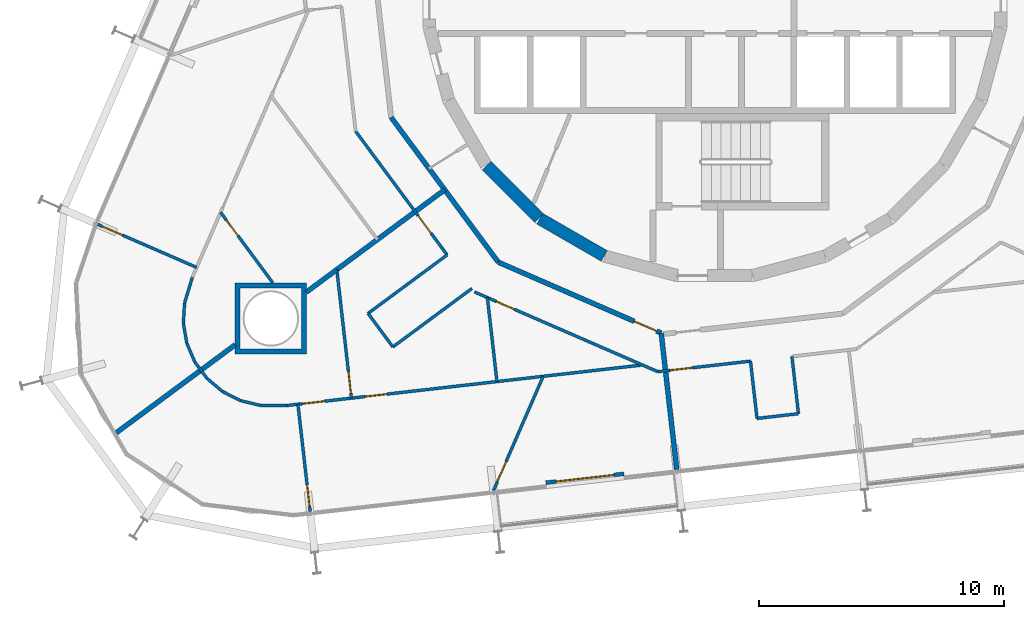
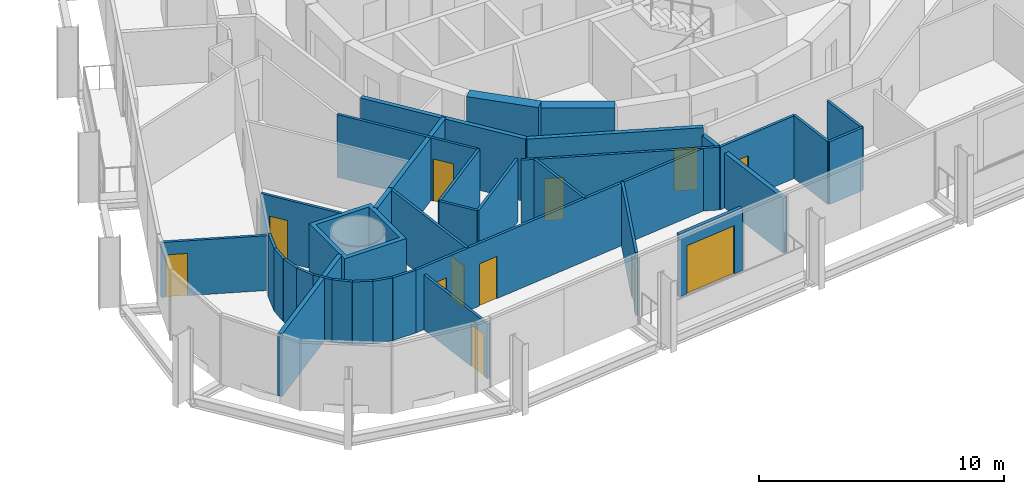
# One storey, part 16 of 23: 35 walls, 12 doors, 12 openings.
"""IFC4 building model written with IfcOpenShell, lengths in metres."""

from ifc_helpers import new_model, si_unit, direction, frame, frame_2d, origin, place, context, subcontext, project, spatial, polyline, rectangle, outline, extrude, material, layer, layer_set, type_object, element, fill, save


model = new_model("IFC4")

# Units and contexts
model_context = context("Model", 3, precision=1e-05, world=origin(), true_north=direction((0.0, 1.0)))
body_context = subcontext(model_context, "Body", "Model", "MODEL_VIEW")
ifc_project = project(units=[si_unit("LENGTHUNIT", "METRE"), si_unit("AREAUNIT", "SQUARE_METRE"), si_unit("VOLUMEUNIT", "CUBIC_METRE"), si_unit("PLANEANGLEUNIT", "RADIAN"), si_unit("MASSUNIT", "GRAM", prefix="KILO")], contexts=[model_context])

# Site, building, storey
site_placement = place(None, origin())
site = spatial("IfcSite", under=ifc_project, at=site_placement, CompositionType="ELEMENT")
building_placement = place(site_placement, origin())
building = spatial("IfcBuilding", under=site, at=building_placement, Name="Spindle Arch Residences", CompositionType="ELEMENT")
storey_placement = place(building_placement, frame((0.0, 0.0, 83.699951171875)))
storey = spatial("IfcBuildingStorey", under=building, at=storey_placement, Name="L19", CompositionType="ELEMENT", Elevation=83.699951171875)

# Walls
ifc_material_1 = material(Name="Concrete C50/60", Category="concrete")
ifc_layer_1 = layer(ifc_material_1, 0.5)
ifc_layer_set_1 = layer_set([ifc_layer_1], Name="Core outline wall 500")
wall_type_1 = type_object("IfcWallType", Name="Core outline wall 500", PredefinedType="SHEAR", material=ifc_layer_set_1)
wall_1_placement = place(storey_placement, frame((-9.30810546875, -7.163818359375, 0.0), z_axis=(0.0, 0.0, 1.0), x_axis=(0.707106781187, -0.707106781187, 0.0)))
element("IfcWall", 1, at=wall_1_placement, inside=storey, type_object=wall_type_1, Name="Core outline wall 21", PredefinedType="SHEAR", context=body_context, shape_type="SweptSolid", body=[
    extrude(rectangle(XDim=3.032470703125, YDim=0.5, at=frame_2d((1.51611328125, 0.0))), origin(), (0.0, 0.0, 1.0), 3.1201171875),
])
wall_2_placement = place(storey_placement, frame((-7.13671875, -9.32861328125, 0.0), z_axis=(0.0, 0.0, 1.0), x_axis=(0.865975092491, -0.500087131594, 0.0)))
element("IfcWall", 2, at=wall_2_placement, inside=storey, type_object=wall_type_1, Name="Core outline wall 22", PredefinedType="SHEAR", context=body_context, shape_type="SweptSolid", body=[
    extrude(rectangle(XDim=3.03271484375, YDim=0.5, at=frame_2d((1.516357421875, 0.0))), origin(), (0.0, 0.0, 1.0), 3.1201171875),
])
ifc_material_2 = material(Name="Calcium silicate block, plastered")
ifc_layer_2 = layer(ifc_material_2, 0.199951171875)
ifc_layer_set_2 = layer_set([ifc_layer_2], Name="Corridor wall 200")
wall_type_2 = type_object("IfcWallType", Name="Corridor wall 200", PredefinedType="STANDARD", material=ifc_layer_set_2)
wall_3_placement = place(storey_placement, frame((-13.1962890625, -5.1982421875, 0.0), z_axis=(0.0, 0.0, 1.0), x_axis=(0.594805187394, -0.803869883159, 0.0)))
element("IfcWall", 3, at=wall_3_placement, inside=storey, type_object=wall_type_2, Name="Corridor wall R2A0-W012", PredefinedType="STANDARD", context=body_context, shape_type="SweptSolid", body=[
    extrude(rectangle(XDim=7.341796875, YDim=0.199951171875, at=frame_2d((3.6708984375, 0.0))), origin(), (0.0, 0.0, 1.0), 3.1201171875),
])

# Wall, opening, door
wall_4_placement = place(storey_placement, frame((-8.829345703125, -11.10009765625, 0.0), z_axis=(0.0, 0.0, 1.0), x_axis=(0.917063622491, -0.398740908742, 0.0)))
wall_4 = element("IfcWall", 4, at=wall_4_placement, inside=storey, type_object=wall_type_2, Name="Corridor wall R2A0-W013", PredefinedType="STANDARD", context=body_context, shape_type="SweptSolid", body=[
    extrude(rectangle(XDim=7.239501953125, YDim=0.199951171875, at=frame_2d((3.61962890625, 0.0))), origin(), (0.0, 0.0, 1.0), 3.1201171875),
])
opening_1_placement = place(wall_4_placement, frame((6.03955078125, 0.0, 0.0)))
opening_1 = element("IfcOpeningElement", 5, at=opening_1_placement, cuts=wall_4, Name="Opening R2A0-FD05", PredefinedType="OPENING", context=body_context, shape_type="SweptSolid", body=[
    extrude(rectangle(XDim=1.0, YDim=2.10009765625, at=frame_2d((0.5, 1.050048828125))), frame((0.0, 0.10986328125, 0.0), z_axis=(0.0, -1.0, 0.0), x_axis=(1.0, 0.0, 0.0)), (0.0, 0.0, 1.0), 0.219970703125),
])
ifc_material_3 = material(Name="Timber, fire-resisting door set", Category="wood")
door_type_1 = type_object("IfcDoorType", Name="Flat entrance door 1000x2100", OperationType="NOTDEFINED", PredefinedType="DOOR", material=ifc_material_3)
door_1_placement = place(opening_1_placement, origin())
door_1 = element("IfcDoor", 6, at=door_1_placement, inside=storey, type_object=door_type_1, Name="Flat entrance door R2A0-FD05", OperationType="SINGLE_SWING_LEFT", OverallHeight=2.10009765625, OverallWidth=1.0, PredefinedType="DOOR", context=body_context, shape_type="SweptSolid", body=[
    extrude(rectangle(XDim=1.0, YDim=2.10009765625, at=frame_2d((0.5, 1.050048828125))), frame((0.0, 0.02490234375, 0.0), z_axis=(0.0, -1.0, 0.0), x_axis=(1.0, 0.0, 0.0)), (0.0, 0.0, 1.0), 0.050048828125),
])
fill(opening_1, door_1)

ifc_material_4 = material(Name="Plasterboard on steel studs", Category="steel")
ifc_layer_3 = layer(ifc_material_4, 0.1201171875)
ifc_layer_set_3 = layer_set([ifc_layer_3], Name="Flat partition 120")
wall_type_3 = type_object("IfcWallType", Name="Flat partition 120", PredefinedType="PARTITIONING", material=ifc_layer_set_3)
wall_5_placement = place(storey_placement, frame((-14.64111328125, -5.767333984375, 0.0), z_axis=(0.0, 0.0, 1.0), x_axis=(0.594825885962, -0.803854567313, 0.0)))
wall_5 = element("IfcWall", 7, at=wall_5_placement, inside=storey, type_object=wall_type_3, Name="Flat partition R2A0-W089", PredefinedType="PARTITIONING", context=body_context, shape_type="SweptSolid", body=[
    extrude(rectangle(XDim=6.26611328125, YDim=0.1201171875, at=frame_2d((3.133056640625, 0.0))), origin(), (0.0, 0.0, 1.0), 3.1201171875),
])
opening_2_placement = place(wall_5_placement, frame((4.272705078125, 0.0, 0.0)))
opening_2 = element("IfcOpeningElement", 8, at=opening_2_placement, cuts=wall_5, Name="Opening R2A0-ID23", PredefinedType="OPENING", context=body_context, shape_type="SweptSolid", body=[
    extrude(rectangle(XDim=0.89990234375, YDim=2.10009765625, at=frame_2d((0.449951171875, 1.050048828125))), frame((0.0, 0.070068359375, 0.0), z_axis=(0.0, -1.0, 0.0), x_axis=(1.0, 0.0, 0.0)), (0.0, 0.0, 1.0), 0.14013671875),
])
ifc_material_5 = material(Name="Timber door set", Category="wood")
door_type_2 = type_object("IfcDoorType", Name="Room door 900x2100", OperationType="NOTDEFINED", PredefinedType="DOOR", material=ifc_material_5)
door_2_placement = place(opening_2_placement, origin())
door_2 = element("IfcDoor", 9, at=door_2_placement, inside=storey, type_object=door_type_2, Name="Room door R2A0-ID23", OperationType="SINGLE_SWING_LEFT", OverallHeight=2.10009765625, OverallWidth=0.89990234375, PredefinedType="DOOR", context=body_context, shape_type="SweptSolid", body=[
    extrude(rectangle(XDim=0.89990234375, YDim=2.10009765625, at=frame_2d((0.449951171875, 1.050048828125))), frame((0.0, 0.02490234375, 0.0), z_axis=(0.0, -1.0, 0.0), x_axis=(1.0, 0.0, 0.0)), (0.0, 0.0, 1.0), 0.050048828125),
])
fill(opening_2, door_2)

wall_6_placement = place(storey_placement, frame((-20.144287109375, -9.068359375, 0.0), z_axis=(0.0, 0.0, 1.0), x_axis=(0.59487477233, -0.803818390711, 0.0)))
wall_6 = element("IfcWall", 10, at=wall_6_placement, inside=storey, type_object=wall_type_3, Name="Flat partition R2A0-W094", PredefinedType="PARTITIONING", context=body_context, shape_type="SweptSolid", body=[
    extrude(rectangle(XDim=3.575439453125, YDim=0.1201171875, at=frame_2d((1.78759765625, 0.0))), origin(), (0.0, 0.0, 1.0), 3.1201171875),
])
opening_3_placement = place(wall_6_placement, frame((0.39990234375, 0.0, 0.0)))
opening_3 = element("IfcOpeningElement", 11, at=opening_3_placement, cuts=wall_6, Name="Opening R2A0-BD05", PredefinedType="OPENING", context=body_context, shape_type="SweptSolid", body=[
    extrude(rectangle(XDim=0.800048828125, YDim=2.10009765625, at=frame_2d((0.39990234375, 1.050048828125))), frame((0.0, 0.070068359375, 0.0), z_axis=(0.0, -1.0, 0.0), x_axis=(1.0, 0.0, 0.0)), (0.0, 0.0, 1.0), 0.14013671875),
])
ifc_material_6 = material(Name="Timber door set", Category="wood")
door_type_3 = type_object("IfcDoorType", Name="Bathroom door 800x2100", OperationType="NOTDEFINED", PredefinedType="DOOR", material=ifc_material_6)
door_3_placement = place(opening_3_placement, origin())
door_3 = element("IfcDoor", 12, at=door_3_placement, inside=storey, type_object=door_type_3, Name="Bathroom door R2A0-BD05", OperationType="SINGLE_SWING_RIGHT", OverallHeight=2.10009765625, OverallWidth=0.800048828125, PredefinedType="DOOR", context=body_context, shape_type="SweptSolid", body=[
    extrude(rectangle(XDim=0.800048828125, YDim=2.10009765625, at=frame_2d((0.39990234375, 1.050048828125))), frame((0.0, 0.02490234375, 0.0), z_axis=(0.0, -1.0, 0.0), x_axis=(1.0, 0.0, 0.0)), (0.0, 0.0, 1.0), 0.050048828125),
])
fill(opening_3, door_3)

# Walls
for number, where, z_axis, x_axis, name in (
    (13, (-20.702880859375, -15.834716796875, 0.0), (0.0, 0.0, 1.0), (-0.594755442796, 0.803906688158, 0.0), "Flat partition R2A0-W095"),
    (14, (-21.19580078125, -15.16845703125, 0.0), (0.0, 0.0, 1.0), (-0.393528213057, 0.919312539634, 0.0), "Flat partition R2A0-W096"),
):
    element("IfcWall", number, at=place(storey_placement, frame(where, z_axis=z_axis, x_axis=x_axis)), inside=storey, type_object=wall_type_3, Name=name, PredefinedType="PARTITIONING", context=body_context, shape_type="SweptSolid", body=[
        extrude(rectangle(XDim=0.828857421875, YDim=0.1201171875, at=frame_2d((0.41455078125, 0.0))), origin(), (0.0, 0.0, 1.0), 3.1201171875),
    ])
wall_7_placement = place(storey_placement, frame((-21.52197265625, -14.406494140625, 0.0), z_axis=(0.0, 0.0, 1.0), x_axis=(-0.170794347099, 0.985306698952, 0.0)))
element("IfcWall", 15, at=wall_7_placement, inside=storey, type_object=wall_type_3, Name="Flat partition R2A0-W097", PredefinedType="PARTITIONING", context=body_context, shape_type="SweptSolid", body=[
    extrude(rectangle(XDim=0.8291015625, YDim=0.1201171875, at=frame_2d((0.41455078125, 0.0))), origin(), (0.0, 0.0, 1.0), 3.1201171875),
])
wall_8_placement = place(storey_placement, frame((-21.66357421875, -13.589599609375, 0.0), z_axis=(0.0, 0.0, 1.0), x_axis=(0.061277779288, 0.998120751095, 0.0)))
element("IfcWall", 16, at=wall_8_placement, inside=storey, type_object=wall_type_3, Name="Flat partition R2A0-W098", PredefinedType="PARTITIONING", context=body_context, shape_type="SweptSolid", body=[
    extrude(rectangle(XDim=0.82861328125, YDim=0.1201171875, at=frame_2d((0.414306640625, 0.0))), origin(), (0.0, 0.0, 1.0), 3.1201171875),
])
wall_9_placement = place(storey_placement, frame((-21.61279296875, -12.762451171875, 0.0), z_axis=(0.0, 0.0, 1.0), x_axis=(0.289552239308, 0.95716221233, 0.0)))
element("IfcWall", 17, at=wall_9_placement, inside=storey, type_object=wall_type_3, Name="Flat partition R2A0-W099", PredefinedType="PARTITIONING", context=body_context, shape_type="SweptSolid", body=[
    extrude(rectangle(XDim=1.0869140625, YDim=0.1201171875, at=frame_2d((0.54345703125, 0.0))), origin(), (0.0, 0.0, 1.0), 3.1201171875),
])
wall_10_placement = place(storey_placement, frame((-10.913818359375, -10.804443359375, 0.0), z_axis=(0.0, 0.0, 1.0), x_axis=(-0.803864616889, -0.594812304609, 0.0)))
element("IfcWall", 18, at=wall_10_placement, inside=storey, type_object=wall_type_3, Name="Flat partition R2A0-W100", PredefinedType="PARTITIONING", context=body_context, shape_type="SweptSolid", body=[
    extrude(rectangle(XDim=4.008056640625, YDim=0.1201171875, at=frame_2d((2.00390625, 0.0))), origin(), (0.0, 0.0, 1.0), 3.1201171875),
])
wall_11_placement = place(storey_placement, frame((-14.1357421875, -13.1884765625, 0.0), z_axis=(0.0, 0.0, 1.0), x_axis=(0.594863421241, -0.803826791087, 0.0)))
element("IfcWall", 19, at=wall_11_placement, inside=storey, type_object=wall_type_3, Name="Flat partition R2A0-W101", PredefinedType="PARTITIONING", context=body_context, shape_type="SweptSolid", body=[
    extrude(rectangle(XDim=1.699951171875, YDim=0.1201171875, at=frame_2d((0.85009765625, 0.0))), origin(), (0.0, 0.0, 1.0), 3.1201171875),
])
wall_12_placement = place(storey_placement, frame((-13.12451171875, -14.554931640625, 0.0), z_axis=(0.0, 0.0, 1.0), x_axis=(0.80389374229, 0.594772940799, 0.0)))
element("IfcWall", 20, at=wall_12_placement, inside=storey, type_object=wall_type_3, Name="Flat partition R2A0-W102", PredefinedType="PARTITIONING", context=body_context, shape_type="SweptSolid", body=[
    extrude(rectangle(XDim=4.0078125, YDim=0.1201171875, at=frame_2d((2.00390625, 0.0))), origin(), (0.0, 0.0, 1.0), 3.1201171875),
])

# Wall, opening, door
wall_13_placement = place(storey_placement, frame((-9.7958984375, -12.315185546875, 0.0), z_axis=(0.0, 0.0, 1.0), x_axis=(0.917059572812, -0.398750222463, 0.0)))
wall_13 = element("IfcWall", 21, at=wall_13_placement, inside=storey, type_object=wall_type_3, Name="Flat partition R2A0-W103", PredefinedType="PARTITIONING", context=body_context, shape_type="SweptSolid", body=[
    extrude(rectangle(XDim=8.1455078125, YDim=0.1201171875, at=frame_2d((4.07275390625, 0.0))), origin(), (0.0, 0.0, 1.0), 3.1201171875),
])
opening_4_placement = place(wall_13_placement, frame((0.969482421875, 0.0, 0.0)))
opening_4 = element("IfcOpeningElement", 22, at=opening_4_placement, cuts=wall_13, Name="Opening R2A0-BD06", PredefinedType="OPENING", context=body_context, shape_type="SweptSolid", body=[
    extrude(rectangle(XDim=0.800048828125, YDim=2.10009765625, at=frame_2d((0.39990234375, 1.050048828125))), frame((0.0, 0.070068359375, 0.0), z_axis=(0.0, -1.0, 0.0), x_axis=(1.0, 0.0, 0.0)), (0.0, 0.0, 1.0), 0.14013671875),
])
door_4_placement = place(opening_4_placement, origin())
door_4 = element("IfcDoor", 23, at=door_4_placement, inside=storey, type_object=door_type_3, Name="Bathroom door R2A0-BD06", OperationType="SINGLE_SWING_LEFT", OverallHeight=2.10009765625, OverallWidth=0.800048828125, PredefinedType="DOOR", context=body_context, shape_type="SweptSolid", body=[
    extrude(rectangle(XDim=0.800048828125, YDim=2.10009765625, at=frame_2d((0.39990234375, 1.050048828125))), frame((0.0, 0.02490234375, 0.0), z_axis=(0.0, -1.0, 0.0), x_axis=(1.0, 0.0, 0.0)), (0.0, 0.0, 1.0), 0.050048828125),
])
fill(opening_4, door_4)

wall_14_placement = place(storey_placement, frame((-2.325927734375, -15.563232421875, 0.0), z_axis=(0.0, 0.0, 1.0), x_axis=(0.993575068384, 0.113175012641, 0.0)))
wall_14 = element("IfcWall", 24, at=wall_14_placement, inside=storey, type_object=wall_type_3, Name="Flat partition R2A0-W104", PredefinedType="PARTITIONING", context=body_context, shape_type="SweptSolid", body=[
    extrude(rectangle(XDim=3.798828125, YDim=0.1201171875, at=frame_2d((1.8994140625, 0.0))), origin(), (0.0, 0.0, 1.0), 3.1201171875),
])
opening_5_placement = place(wall_14_placement, frame((0.513427734375, 0.0, 0.0)))
opening_5 = element("IfcOpeningElement", 25, at=opening_5_placement, cuts=wall_14, Name="Opening R2A0-ID29", PredefinedType="OPENING", context=body_context, shape_type="SweptSolid", body=[
    extrude(rectangle(XDim=0.89990234375, YDim=2.10009765625, at=frame_2d((0.449951171875, 1.050048828125))), frame((0.0, 0.070068359375, 0.0), z_axis=(0.0, -1.0, 0.0), x_axis=(1.0, 0.0, 0.0)), (0.0, 0.0, 1.0), 0.14013671875),
])
door_5_placement = place(opening_5_placement, origin())
door_5 = element("IfcDoor", 26, at=door_5_placement, inside=storey, type_object=door_type_2, Name="Room door R2A0-ID29", OperationType="SINGLE_SWING_LEFT", OverallHeight=2.10009765625, OverallWidth=0.89990234375, PredefinedType="DOOR", context=body_context, shape_type="SweptSolid", body=[
    extrude(rectangle(XDim=0.89990234375, YDim=2.10009765625, at=frame_2d((0.449951171875, 1.050048828125))), frame((0.0, 0.02490234375, 0.0), z_axis=(0.0, -1.0, 0.0), x_axis=(1.0, 0.0, 0.0)), (0.0, 0.0, 1.0), 0.050048828125),
])
fill(opening_5, door_5)

# Walls
for number, where, z_axis, x_axis, name in (
    (27, (-20.702880859375, -15.834716796875, 0.0), (0.0, 0.0, 1.0), (0.764223440539, -0.644951574097, 0.0), "Flat partition R2A0-W105"),
    (28, (-20.0693359375, -16.369384765625, 0.0), (0.0, 0.0, 1.0), (0.89229682893, -0.451449187706, 0.0), "Flat partition R2A0-W106"),
):
    element("IfcWall", number, at=place(storey_placement, frame(where, z_axis=z_axis, x_axis=x_axis)), inside=storey, type_object=wall_type_3, Name=name, PredefinedType="PARTITIONING", context=body_context, shape_type="SweptSolid", body=[
        extrude(rectangle(XDim=0.8291015625, YDim=0.1201171875, at=frame_2d((0.41455078125, 0.0))), origin(), (0.0, 0.0, 1.0), 3.1201171875),
    ])
wall_15_placement = place(storey_placement, frame((-19.32958984375, -16.74365234375, 0.0), z_axis=(0.0, 0.0, 1.0), x_axis=(0.972403343288, -0.23330610357, 0.0)))
element("IfcWall", 29, at=wall_15_placement, inside=storey, type_object=wall_type_3, Name="Flat partition R2A0-W107", PredefinedType="PARTITIONING", context=body_context, shape_type="SweptSolid", body=[
    extrude(rectangle(XDim=0.828857421875, YDim=0.1201171875, at=frame_2d((0.41455078125, 0.0))), origin(), (0.0, 0.0, 1.0), 3.1201171875),
])
wall_16_placement = place(storey_placement, frame((-18.523681640625, -16.93701171875, 0.0), z_axis=(0.0, 0.0, 1.0), x_axis=(0.999995736722, -0.00292002349, 0.0)))
element("IfcWall", 30, at=wall_16_placement, inside=storey, type_object=wall_type_3, Name="Flat partition R2A0-W108", PredefinedType="PARTITIONING", context=body_context, shape_type="SweptSolid", body=[
    extrude(rectangle(XDim=1.0869140625, YDim=0.1201171875, at=frame_2d((0.54345703125, 0.0))), origin(), (0.0, 0.0, 1.0), 3.1201171875),
])

# Wall, openings, doors
wall_17_placement = place(storey_placement, frame((-17.436767578125, -16.940185546875, 0.0), z_axis=(0.0, 0.0, 1.0), x_axis=(0.993573314119, 0.113190412448, 0.0)))
wall_17 = element("IfcWall", 31, at=wall_17_placement, inside=storey, type_object=wall_type_3, Name="Flat partition R2A0-W109", PredefinedType="PARTITIONING", context=body_context, shape_type="SweptSolid", body=[
    extrude(rectangle(XDim=14.576416015625, YDim=0.1201171875, at=frame_2d((7.2880859375, 0.0))), origin(), (0.0, 0.0, 1.0), 3.1201171875),
])
opening_6_placement = place(wall_17_placement, frame((3.20068359375, 0.0, 0.0)))
opening_6 = element("IfcOpeningElement", 32, at=opening_6_placement, cuts=wall_17, Name="Opening R2A0-ID25", PredefinedType="OPENING", context=body_context, shape_type="SweptSolid", body=[
    extrude(rectangle(XDim=0.89990234375, YDim=2.10009765625, at=frame_2d((0.449951171875, 1.050048828125))), frame((0.0, 0.070068359375, 0.0), z_axis=(0.0, -1.0, 0.0), x_axis=(1.0, 0.0, 0.0)), (0.0, 0.0, 1.0), 0.14013671875),
])
opening_7_placement = place(wall_17_placement, frame((0.645263671875, 0.0, 0.0)))
opening_7 = element("IfcOpeningElement", 33, at=opening_7_placement, cuts=wall_17, Name="Opening R2A0-ID28", PredefinedType="OPENING", context=body_context, shape_type="SweptSolid", body=[
    extrude(rectangle(XDim=0.89990234375, YDim=2.10009765625, at=frame_2d((0.449951171875, 1.050048828125))), frame((0.0, 0.070068359375, 0.0), z_axis=(0.0, -1.0, 0.0), x_axis=(1.0, 0.0, 0.0)), (0.0, 0.0, 1.0), 0.14013671875),
])
door_6_placement = place(opening_6_placement, origin())
door_6 = element("IfcDoor", 34, at=door_6_placement, inside=storey, type_object=door_type_2, Name="Room door R2A0-ID25", OperationType="SINGLE_SWING_LEFT", OverallHeight=2.10009765625, OverallWidth=0.89990234375, PredefinedType="DOOR", context=body_context, shape_type="SweptSolid", body=[
    extrude(rectangle(XDim=0.89990234375, YDim=2.10009765625, at=frame_2d((0.449951171875, 1.050048828125))), frame((0.0, 0.02490234375, 0.0), z_axis=(0.0, -1.0, 0.0), x_axis=(1.0, 0.0, 0.0)), (0.0, 0.0, 1.0), 0.050048828125),
])
fill(opening_6, door_6)
door_7_placement = place(opening_7_placement, origin())
door_7 = element("IfcDoor", 35, at=door_7_placement, inside=storey, type_object=door_type_2, Name="Room door R2A0-ID28", OperationType="SINGLE_SWING_RIGHT", OverallHeight=2.10009765625, OverallWidth=0.89990234375, PredefinedType="DOOR", context=body_context, shape_type="SweptSolid", body=[
    extrude(rectangle(XDim=0.89990234375, YDim=2.10009765625, at=frame_2d((0.449951171875, 1.050048828125))), frame((0.0, 0.02490234375, 0.0), z_axis=(0.0, -1.0, 0.0), x_axis=(1.0, 0.0, 0.0)), (0.0, 0.0, 1.0), 0.050048828125),
])
fill(opening_7, door_7)

# Wall, opening, door
wall_18_placement = place(storey_placement, frame((-14.81298828125, -16.641357421875, 0.0), z_axis=(0.0, 0.0, 1.0), x_axis=(-0.113210971478, 0.993570971767, 0.0)))
wall_18 = element("IfcWall", 36, at=wall_18_placement, inside=storey, type_object=wall_type_3, Name="Flat partition R2A0-W110", PredefinedType="PARTITIONING", context=body_context, shape_type="SweptSolid", body=[
    extrude(rectangle(XDim=5.272705078125, YDim=0.1201171875, at=frame_2d((2.63623046875, 0.0))), origin(), (0.0, 0.0, 1.0), 3.1201171875),
])
opening_8_placement = place(wall_18_placement, frame((0.199951171875, 0.0, 0.0)))
opening_8 = element("IfcOpeningElement", 37, at=opening_8_placement, cuts=wall_18, Name="Opening R2A0-ID24", PredefinedType="OPENING", context=body_context, shape_type="SweptSolid", body=[
    extrude(rectangle(XDim=0.89990234375, YDim=2.10009765625, at=frame_2d((0.449951171875, 1.050048828125))), frame((0.0, 0.070068359375, 0.0), z_axis=(0.0, -1.0, 0.0), x_axis=(1.0, 0.0, 0.0)), (0.0, 0.0, 1.0), 0.14013671875),
])
door_8_placement = place(opening_8_placement, origin())
door_8 = element("IfcDoor", 38, at=door_8_placement, inside=storey, type_object=door_type_2, Name="Room door R2A0-ID24", OperationType="SINGLE_SWING_LEFT", OverallHeight=2.10009765625, OverallWidth=0.89990234375, PredefinedType="DOOR", context=body_context, shape_type="SweptSolid", body=[
    extrude(rectangle(XDim=0.89990234375, YDim=2.10009765625, at=frame_2d((0.449951171875, 1.050048828125))), frame((0.0, 0.02490234375, 0.0), z_axis=(0.0, -1.0, 0.0), x_axis=(1.0, 0.0, 0.0)), (0.0, 0.0, 1.0), 0.050048828125),
])
fill(opening_8, door_8)

# Wall
wall_19_placement = place(storey_placement, frame((-8.883544921875, -15.9658203125, 0.0), z_axis=(0.0, 0.0, 1.0), x_axis=(-0.113230836929, 0.993568708026, 0.0)))
element("IfcWall", 39, at=wall_19_placement, inside=storey, type_object=wall_type_3, Name="Flat partition R2A0-W112", PredefinedType="PARTITIONING", context=body_context, shape_type="SweptSolid", body=[
    extrude(rectangle(XDim=3.445556640625, YDim=0.1201171875, at=frame_2d((1.72265625, 0.0))), origin(), (0.0, 0.0, 1.0), 3.1201171875),
])

# Wall, opening, door
wall_20_placement = place(storey_placement, frame((-9.025634765625, -20.410400390625, 0.0), z_axis=(0.0, 0.0, 1.0), x_axis=(0.398750711167, 0.917059360316, 0.0)))
wall_20 = element("IfcWall", 40, at=wall_20_placement, inside=storey, type_object=wall_type_3, Name="Flat partition R2A0-W113", PredefinedType="PARTITIONING", context=body_context, shape_type="SweptSolid", body=[
    extrude(rectangle(XDim=5.08056640625, YDim=0.1201171875, at=frame_2d((2.540283203125, 0.0))), origin(), (0.0, 0.0, 1.0), 3.1201171875),
])
opening_9_placement = place(wall_20_placement, frame((0.39990234375, 0.0, 0.0)))
opening_9 = element("IfcOpeningElement", 41, at=opening_9_placement, cuts=wall_20, Name="Opening R2A0-ID27", PredefinedType="OPENING", context=body_context, shape_type="SweptSolid", body=[
    extrude(rectangle(XDim=0.89990234375, YDim=2.10009765625, at=frame_2d((0.449951171875, 1.050048828125))), frame((0.0, 0.070068359375, 0.0), z_axis=(0.0, -1.0, 0.0), x_axis=(1.0, 0.0, 0.0)), (0.0, 0.0, 1.0), 0.14013671875),
])
door_9_placement = place(opening_9_placement, origin())
door_9 = element("IfcDoor", 42, at=door_9_placement, inside=storey, type_object=door_type_2, Name="Room door R2A0-ID27", OperationType="SINGLE_SWING_RIGHT", OverallHeight=2.10009765625, OverallWidth=0.89990234375, PredefinedType="DOOR", context=body_context, shape_type="SweptSolid", body=[
    extrude(rectangle(XDim=0.89990234375, YDim=2.10009765625, at=frame_2d((0.449951171875, 1.050048828125))), frame((0.0, 0.02490234375, 0.0), z_axis=(0.0, -1.0, 0.0), x_axis=(1.0, 0.0, 0.0)), (0.0, 0.0, 1.0), 0.050048828125),
])
fill(opening_9, door_9)

# Walls
wall_21_placement = place(storey_placement, frame((1.448486328125, -15.13330078125, 0.0), z_axis=(0.0, 0.0, 1.0), x_axis=(0.113180189053, -0.993574478741, 0.0)))
element("IfcWall", 43, at=wall_21_placement, inside=storey, type_object=wall_type_3, Name="Flat partition R2A0-W114", PredefinedType="PARTITIONING", context=body_context, shape_type="SweptSolid", body=[
    extrude(rectangle(XDim=2.34912109375, YDim=0.1201171875, at=frame_2d((1.174560546875, 0.0))), origin(), (0.0, 0.0, 1.0), 3.1201171875),
])
wall_22_placement = place(storey_placement, frame((1.71435546875, -17.46728515625, 0.0), z_axis=(0.0, 0.0, 1.0), x_axis=(0.993577030812, 0.113157782957, 0.0)))
element("IfcWall", 44, at=wall_22_placement, inside=storey, type_object=wall_type_3, Name="Flat partition R2A0-W115", PredefinedType="PARTITIONING", context=body_context, shape_type="SweptSolid", body=[
    extrude(rectangle(XDim=1.7001953125, YDim=0.1201171875, at=frame_2d((0.85009765625, 0.0))), origin(), (0.0, 0.0, 1.0), 3.1201171875),
])
wall_23_placement = place(storey_placement, frame((3.403564453125, -17.27490234375, 0.0), z_axis=(0.0, 0.0, 1.0), x_axis=(-0.113180189053, 0.993574478741, 0.0)))
element("IfcWall", 45, at=wall_23_placement, inside=storey, type_object=wall_type_3, Name="Flat partition R2A0-W116", PredefinedType="PARTITIONING", context=body_context, shape_type="SweptSolid", body=[
    extrude(rectangle(XDim=2.34912109375, YDim=0.1201171875, at=frame_2d((1.174560546875, 0.0))), origin(), (0.0, 0.0, 1.0), 3.1201171875),
])

# Wall, opening, door
ifc_material_7 = material(Name="Plasterboard on steel studs", Category="steel")
ifc_layer_4 = layer(ifc_material_7, 0.1201171875)
ifc_layer_set_4 = layer_set([ifc_layer_4], Name="Flat partition 120 under beam 2730")
wall_type_4 = type_object("IfcWallType", Name="Flat partition 120 under beam 2730", PredefinedType="PARTITIONING", material=ifc_layer_set_4)
wall_24_placement = place(storey_placement, frame((-25.155517578125, -9.55908203125, 0.0), z_axis=(0.0, 0.0, 1.0), x_axis=(0.917042707292, -0.398789008127, 0.0)))
wall_24 = element("IfcWall", 46, at=wall_24_placement, inside=storey, type_object=wall_type_4, Name="Flat partition R2A0-W092", PredefinedType="PARTITIONING", context=body_context, shape_type="SweptSolid", body=[
    extrude(rectangle(XDim=4.39990234375, YDim=0.1201171875, at=frame_2d((2.199951171875, 0.0))), origin(), (0.0, 0.0, 1.0), 2.72998046875),
])
opening_10_placement = place(wall_24_placement, frame((0.199951171875, 0.0, 0.0)))
opening_10 = element("IfcOpeningElement", 47, at=opening_10_placement, cuts=wall_24, Name="Opening R2A0-ID22", PredefinedType="OPENING", context=body_context, shape_type="SweptSolid", body=[
    extrude(rectangle(XDim=0.89990234375, YDim=2.10009765625, at=frame_2d((0.449951171875, 1.050048828125))), frame((0.0, 0.070068359375, 0.0), z_axis=(0.0, -1.0, 0.0), x_axis=(1.0, 0.0, 0.0)), (0.0, 0.0, 1.0), 0.14013671875),
])
door_10_placement = place(opening_10_placement, origin())
door_10 = element("IfcDoor", 48, at=door_10_placement, inside=storey, type_object=door_type_2, Name="Room door R2A0-ID22", OperationType="SINGLE_SWING_RIGHT", OverallHeight=2.10009765625, OverallWidth=0.89990234375, PredefinedType="DOOR", context=body_context, shape_type="SweptSolid", body=[
    extrude(rectangle(XDim=0.89990234375, YDim=2.10009765625, at=frame_2d((0.449951171875, 1.050048828125))), frame((0.0, 0.02490234375, 0.0), z_axis=(0.0, -1.0, 0.0), x_axis=(1.0, 0.0, 0.0)), (0.0, 0.0, 1.0), 0.050048828125),
])
fill(opening_10, door_10)

wall_25_placement = place(storey_placement, frame((-16.49609375, -21.26171875, 0.0), z_axis=(0.0, 0.0, 1.0), x_axis=(-0.1132445713, 0.993567142709, 0.0)))
wall_25 = element("IfcWall", 49, at=wall_25_placement, inside=storey, type_object=wall_type_4, Name="Flat partition R2A0-W111", PredefinedType="PARTITIONING", context=body_context, shape_type="SweptSolid", body=[
    extrude(rectangle(XDim=4.400146484375, YDim=0.1201171875, at=frame_2d((2.2001953125, 0.0))), origin(), (0.0, 0.0, 1.0), 2.72998046875),
])
opening_11_placement = place(wall_25_placement, frame((0.199951171875, 0.0, 0.0)))
opening_11 = element("IfcOpeningElement", 50, at=opening_11_placement, cuts=wall_25, Name="Opening R2A0-ID26", PredefinedType="OPENING", context=body_context, shape_type="SweptSolid", body=[
    extrude(rectangle(XDim=0.89990234375, YDim=2.10009765625, at=frame_2d((0.449951171875, 1.050048828125))), frame((0.0, 0.070068359375, 0.0), z_axis=(0.0, -1.0, 0.0), x_axis=(1.0, 0.0, 0.0)), (0.0, 0.0, 1.0), 0.14013671875),
])
door_11_placement = place(opening_11_placement, origin())
door_11 = element("IfcDoor", 51, at=door_11_placement, inside=storey, type_object=door_type_2, Name="Room door R2A0-ID26", OperationType="SINGLE_SWING_LEFT", OverallHeight=2.10009765625, OverallWidth=0.89990234375, PredefinedType="DOOR", context=body_context, shape_type="SweptSolid", body=[
    extrude(rectangle(XDim=0.89990234375, YDim=2.10009765625, at=frame_2d((0.449951171875, 1.050048828125))), frame((0.0, 0.02490234375, 0.0), z_axis=(0.0, -1.0, 0.0), x_axis=(1.0, 0.0, 0.0)), (0.0, 0.0, 1.0), 0.050048828125),
])
fill(opening_11, door_11)

# Walls
ifc_material_8 = material(Name="Calcium silicate block, plastered")
ifc_layer_5 = layer(ifc_material_8, 0.199951171875)
ifc_layer_set_5 = layer_set([ifc_layer_5], Name="Flat party wall 200")
wall_type_5 = type_object("IfcWallType", Name="Flat party wall 200", PredefinedType="STANDARD", material=ifc_layer_set_5)
wall_26_placement = place(storey_placement, frame((-15.409912109375, -11.402587890625, 0.0), z_axis=(0.0, 0.0, 1.0), x_axis=(0.803887568227, 0.594781285558, 0.0)))
element("IfcWall", 52, at=wall_26_placement, inside=storey, type_object=wall_type_5, Name="Flat party wall R2A0-W024", PredefinedType="STANDARD", context=body_context, shape_type="SweptSolid", body=[
    extrude(rectangle(XDim=5.469970703125, YDim=0.199951171875, at=frame_2d((2.73486328125, 0.0))), origin(), (0.0, 0.0, 1.0), 3.1201171875),
])
wall_27_placement = place(storey_placement, frame((-16.64892578125, -12.319580078125, 0.0), z_axis=(0.0, 0.0, 1.0), x_axis=(0.803804030903, 0.594894175383, 0.0)))
element("IfcWall", 53, at=wall_27_placement, inside=storey, type_object=wall_type_5, Name="Flat party wall R2A0-W025", PredefinedType="STANDARD", context=body_context, shape_type="SweptSolid", body=[
    extrude(rectangle(XDim=1.54150390625, YDim=0.199951171875, at=frame_2d((0.770751953125, 0.0))), origin(), (0.0, 0.0, 1.0), 3.1201171875),
])
wall_28_placement = place(storey_placement, frame((-24.486083984375, -18.118896484375, 0.0), z_axis=(0.0, 0.0, 1.0), x_axis=(0.80384227933, 0.594842491726, 0.0)))
element("IfcWall", 54, at=wall_28_placement, inside=storey, type_object=wall_type_5, Name="Flat party wall R2A0-W026", PredefinedType="STANDARD", context=body_context, shape_type="SweptSolid", body=[
    extrude(rectangle(XDim=6.14208984375, YDim=0.199951171875, at=frame_2d((3.071044921875, 0.0))), origin(), (0.0, 0.0, 1.0), 3.1201171875),
])
ifc_material_9 = material(Name="Calcium silicate block, plastered")
ifc_layer_6 = layer(ifc_material_9, 0.199951171875)
ifc_layer_set_6 = layer_set([ifc_layer_6], Name="Flat party wall 200 under beam 2730")
wall_type_6 = type_object("IfcWallType", Name="Flat party wall 200 under beam 2730", PredefinedType="STANDARD", material=ifc_layer_set_6)
wall_29_placement = place(storey_placement, frame((-1.55517578125, -19.559326171875, 0.0), z_axis=(0.0, 0.0, 1.0), x_axis=(-0.113221250863, 0.993569800443, 0.0)))
element("IfcWall", 55, at=wall_29_placement, inside=storey, type_object=wall_type_6, Name="Flat party wall R2A0-W027", PredefinedType="STANDARD", context=body_context, shape_type="SweptSolid", body=[
    extrude(rectangle(XDim=5.608642578125, YDim=0.199951171875, at=frame_2d((2.80419921875, 0.0))), origin(), (0.0, 0.0, 1.0), 2.72998046875),
])

# Wall, opening, door
ifc_material_10 = material(Name="Non-combustible mineral wool insulated aluminium faced external wall (K0)", Category="aluminium")
ifc_layer_7 = layer(ifc_material_10, 0.159912109375)
ifc_layer_set_7 = layer_set([ifc_layer_7], Name="Insulated external wall panel 160")
wall_type_7 = type_object("IfcWallType", Name="Insulated external wall panel 160", PredefinedType="STANDARD", material=ifc_layer_set_7)
wall_30_placement = place(storey_placement, frame((-6.88916015625, -20.08642578125, 0.0), z_axis=(0.0, 0.0, 1.0), x_axis=(0.993578576686, 0.113144208648, 0.0)))
wall_30 = element("IfcWall", 56, at=wall_30_placement, inside=storey, type_object=wall_type_7, Name="External wall L19 bay 23", PredefinedType="STANDARD", context=body_context, shape_type="SweptSolid", body=[
    extrude(rectangle(XDim=3.199951171875, YDim=0.159912109375, at=frame_2d((1.60009765625, 0.0))), origin(), (0.0, 0.0, 1.0), 3.1201171875),
])
opening_12_placement = place(wall_30_placement, frame((0.39990234375, 0.0, 0.0)))
opening_12 = element("IfcOpeningElement", 57, at=opening_12_placement, cuts=wall_30, Name="Opening BD23", PredefinedType="OPENING", context=body_context, shape_type="SweptSolid", body=[
    extrude(rectangle(XDim=2.39990234375, YDim=2.39990234375, at=frame_2d((1.199951171875, 1.199951171875))), frame((0.0, 0.08984375, 0.0), z_axis=(0.0, -1.0, 0.0), x_axis=(1.0, 0.0, 0.0)), (0.0, 0.0, 1.0), 0.179931640625),
])
ifc_material_11 = material(Name="Bronze aluminium frame, tinted double glazing", Category="aluminium")
door_type_4 = type_object("IfcDoorType", Name="Sliding glazed balcony door 2400x2400", OperationType="DOUBLE_DOOR_SLIDING", PredefinedType="DOOR", material=ifc_material_11)
door_12_placement = place(opening_12_placement, origin())
door_12 = element("IfcDoor", 58, at=door_12_placement, inside=storey, type_object=door_type_4, Name="Balcony door BD23", OperationType="DOUBLE_DOOR_SLIDING", OverallHeight=2.39990234375, OverallWidth=2.39990234375, PredefinedType="DOOR", context=body_context, shape_type="SweptSolid", body=[
    extrude(rectangle(XDim=2.39990234375, YDim=2.39990234375, at=frame_2d((1.199951171875, 1.199951171875))), frame((0.0, 0.02490234375, 0.0), z_axis=(0.0, -1.0, 0.0), x_axis=(1.0, 0.0, 0.0)), (0.0, 0.0, 1.0), 0.050048828125),
])
fill(opening_12, door_12)

# Wall
ifc_material_12 = material(Name="Calcium silicate block, plastered")
ifc_layer_8 = layer(ifc_material_12, 0.199951171875)
ifc_layer_set_8 = layer_set([ifc_layer_8], Name="Mega-column casing wall 200")
wall_type_8 = type_object("IfcWallType", Name="Mega-column casing wall 200", PredefinedType="STANDARD", material=ifc_layer_set_8)
wall_31_placement = place(storey_placement, origin())
element("IfcWall", 59, at=wall_31_placement, inside=storey, type_object=wall_type_8, Name="Mega-column casing wall R2A0-WC02", PredefinedType="STANDARD", context=body_context, shape_type="SweptSolid", body=[
    extrude(outline(polyline([(-16.64892578125, -11.9423828125), (-16.64892578125, -14.842529296875), (-19.548828125, -14.842529296875), (-19.548828125, -11.9423828125), (-16.64892578125, -11.9423828125)]), holes=[polyline([(-19.348876953125, -14.642578125), (-16.848876953125, -14.642578125), (-16.848876953125, -12.142578125), (-19.348876953125, -12.142578125), (-19.348876953125, -14.642578125)])]), origin(), (0.0, 0.0, 1.0), 3.1201171875),
])

save(model, "model.ifc")
